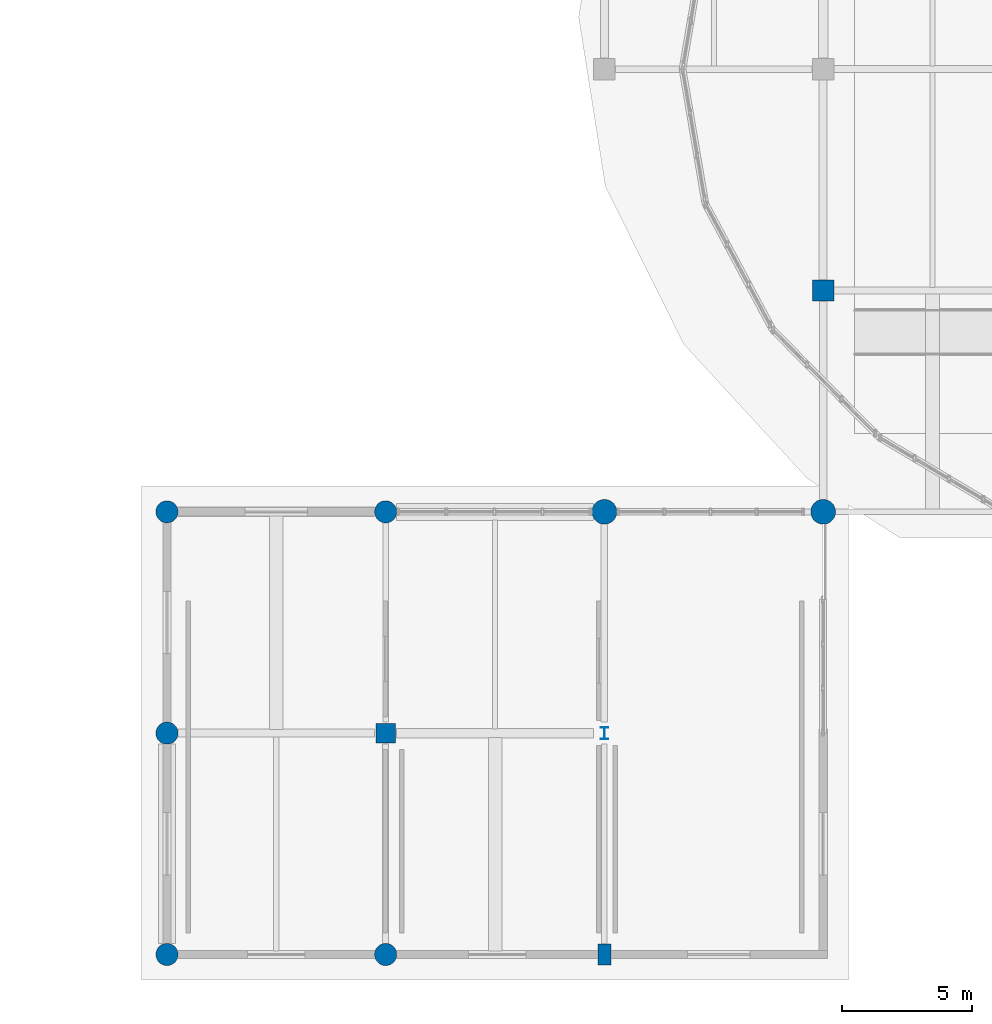
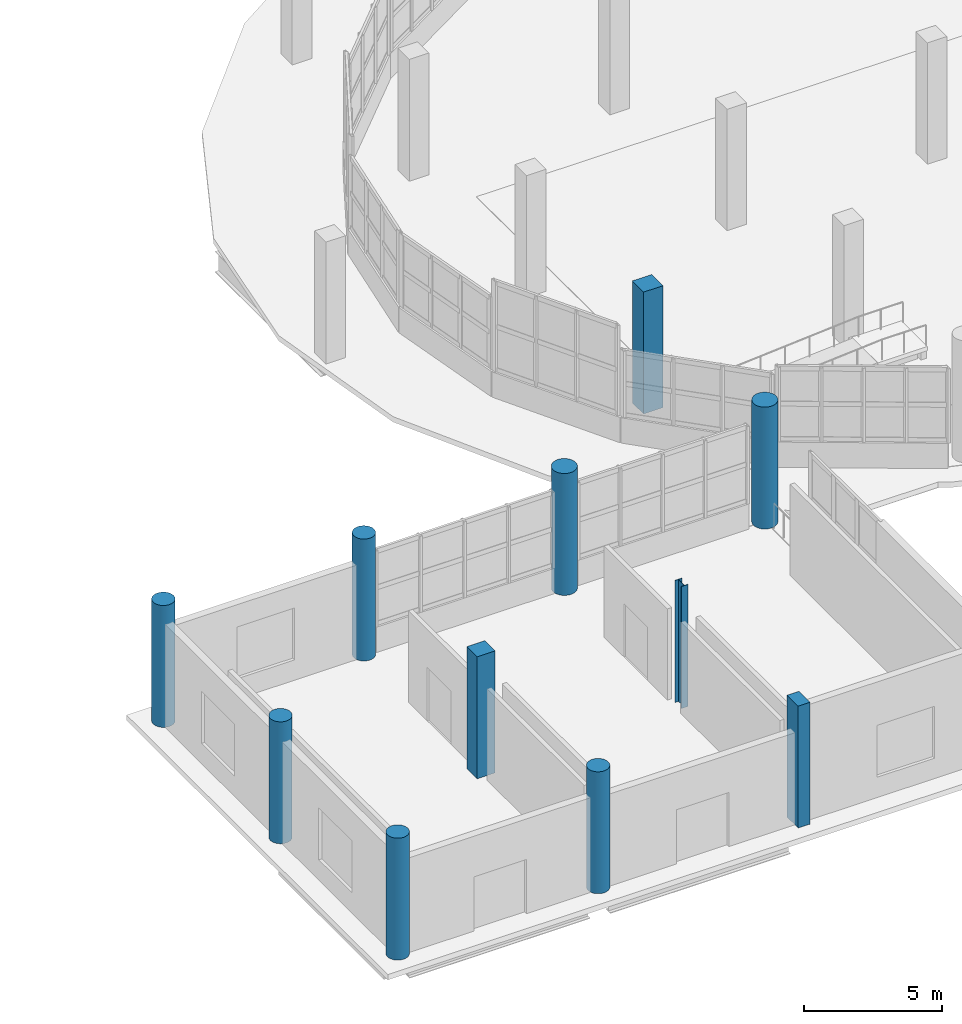
# One storey, part 1 of 107: 11 columns.
"""IFC4 building model written with IfcOpenShell, lengths in metres."""

from ifc_helpers import new_model, si_unit, direction, frame, origin, origin_2d, place, context, subcontext, project, spatial, rectangle, circle, i_section, extrude, material, material_profile, profile_set, type_object, element, save


model = new_model("IFC4")

# Units and contexts
model_context = context("Model", 3, precision=1e-05, world=origin(), true_north=direction((0.0, 1.0)))
body_context = subcontext(model_context, "Body", "Model", "MODEL_VIEW")
ifc_project = project(units=[si_unit("LENGTHUNIT", "METRE"), si_unit("AREAUNIT", "SQUARE_METRE"), si_unit("VOLUMEUNIT", "CUBIC_METRE"), si_unit("PLANEANGLEUNIT", "RADIAN"), si_unit("MASSUNIT", "GRAM", prefix="KILO")], contexts=[model_context])

# Site, building, storey
site_placement = place(None, origin())
site = spatial("IfcSite", under=ifc_project, at=site_placement, CompositionType="ELEMENT")
building_placement = place(site_placement, origin())
building = spatial("IfcBuilding", under=site, at=building_placement, Name="Solvento Point Concert Hall", CompositionType="ELEMENT")
storey_placement = place(building_placement, origin())
storey = spatial("IfcBuildingStorey", under=building, at=storey_placement, Name="L00", CompositionType="ELEMENT", Elevation=0.0)

# Columns
ifc_material_1 = material(Name="Concrete C40/50", Category="concrete")
ifc_material_profile_1 = material_profile(ifc_material_1, rectangle(XDim=0.75, YDim=0.75, at=origin_2d()), Name="RC-COL-750X750")
ifc_profile_set_1 = profile_set([ifc_material_profile_1], Name="Concrete C40/50")
column_type_1 = type_object("IfcColumnType", Name="Col_RC_750", PredefinedType="COLUMN", material=ifc_profile_set_1)
column_1_placement = place(storey_placement, frame((24.0, 8.5, 0.0), z_axis=(0.0, 0.0, 1.0), x_axis=(1.0, 0.0, 0.0)))
element("IfcColumn", 1, at=column_1_placement, inside=storey, type_object=column_type_1, Name="Column C-29 04/B L00", PredefinedType="COLUMN", context=body_context, shape_type="SweptSolid", body=[
    extrude(rectangle(XDim=0.75, YDim=0.75, at=origin_2d()), origin(), (0.0, 0.0, 1.0), 5.39990234375),
])
ifc_material_2 = material(Name="Concrete C40/50", Category="concrete")
ifc_material_profile_2 = material_profile(ifc_material_2, rectangle(XDim=0.820068359375, YDim=0.820068359375, at=origin_2d()), Name="RC-COL-820X820")
ifc_profile_set_2 = profile_set([ifc_material_profile_2], Name="Concrete C40/50")
column_type_2 = type_object("IfcColumnType", Name="Col_RC_820", PredefinedType="COLUMN", material=ifc_profile_set_2)
column_2_placement = place(storey_placement, frame((40.800048828125, 25.5, 0.0), z_axis=(0.0, 0.0, 1.0), x_axis=(1.0, 0.0, 0.0)))
element("IfcColumn", 2, at=column_2_placement, inside=storey, type_object=column_type_2, Name="Column C-98 06/D L00", PredefinedType="COLUMN", context=body_context, shape_type="SweptSolid", body=[
    extrude(rectangle(XDim=0.820068359375, YDim=0.820068359375, at=origin_2d()), origin(), (0.0, 0.0, 1.0), 5.39990234375),
])
ifc_material_3 = material(Name="Concrete C40/50", Category="concrete")
ifc_material_profile_3 = material_profile(ifc_material_3, rectangle(XDim=0.5, YDim=0.800048828125, at=origin_2d()), Name="RC-PIL-500X800")
ifc_profile_set_3 = profile_set([ifc_material_profile_3], Name="Concrete C40/50")
column_type_3 = type_object("IfcColumnType", Name="Pilaster_500x800", PredefinedType="PILASTER", material=ifc_profile_set_3)
column_3_placement = place(storey_placement, frame((32.39990234375, 0.0, 0.0), z_axis=(0.0, 0.0, 1.0), x_axis=(1.0, 0.0, 0.0)))
element("IfcColumn", 3, at=column_3_placement, inside=storey, type_object=column_type_3, Name="Column C-70 05/A L00", PredefinedType="PILASTER", context=body_context, shape_type="SweptSolid", body=[
    extrude(rectangle(XDim=0.5, YDim=0.800048828125, at=origin_2d()), origin(), (0.0, 0.0, 1.0), 5.39990234375),
])
ifc_material_4 = material(Name="Structural Steel ASTM A992 Grade 50", Category="steel")
ifc_material_profile_4 = material_profile(ifc_material_4, i_section(OverallWidth=0.279541015625, OverallDepth=0.462890625, WebThickness=0.0107421875, FlangeThickness=0.017333984375, at=origin_2d()), Name="W18X76")
ifc_profile_set_4 = profile_set([ifc_material_profile_4], Name="Structural Steel ASTM A992 Grade 50")
column_type_4 = type_object("IfcColumnType", Name="Pilaster_Steel_W18X76", PredefinedType="PILASTER", material=ifc_profile_set_4)
column_4_placement = place(storey_placement, frame((32.39990234375, 8.5, 0.0), z_axis=(0.0, 0.0, 1.0), x_axis=(1.0, 0.0, 0.0)))
element("IfcColumn", 4, at=column_4_placement, inside=storey, type_object=column_type_4, Name="Column C-80 05/B L00", PredefinedType="PILASTER", context=body_context, shape_type="SweptSolid", body=[
    extrude(i_section(OverallWidth=0.279541015625, OverallDepth=0.462890625, WebThickness=0.0107421875, FlangeThickness=0.017333984375, at=origin_2d()), origin(), (0.0, 0.0, 1.0), 5.39990234375),
])
ifc_material_5 = material(Name="Concrete C40/50", Category="concrete")
ifc_material_profile_5 = material_profile(ifc_material_5, circle(Radius=0.425048828125, at=origin_2d()), Name="RC-PILOTIS-850")
ifc_profile_set_5 = profile_set([ifc_material_profile_5], Name="Concrete C40/50")
column_type_5 = type_object("IfcColumnType", Name="Pilotis_850", PredefinedType="COLUMN", material=ifc_profile_set_5)
for number, where, z_axis, x_axis, name in (
    (5, (15.60009765625, 0.0, 0.0), (0.0, 0.0, 1.0), (1.0, 0.0, 0.0), "Column C-22 03/A L00"),
    (6, (15.60009765625, 8.5, 0.0), (0.0, 0.0, 1.0), (1.0, 0.0, 0.0), "Column C-22 03/B L00"),
    (7, (15.60009765625, 17.0, 0.0), (0.0, 0.0, 1.0), (1.0, 0.0, 0.0), "Column C-22 03/C L00"),
    (8, (24.0, 0.0, 0.0), (0.0, 0.0, 1.0), (1.0, 0.0, 0.0), "Column C-22 04/A L00"),
    (9, (24.0, 17.0, 0.0), (0.0, 0.0, 1.0), (1.0, 0.0, 0.0), "Column C-22 04/C L00"),
):
    element("IfcColumn", number, at=place(storey_placement, frame(where, z_axis=z_axis, x_axis=x_axis)), inside=storey, type_object=column_type_5, Name=name, PredefinedType="COLUMN", context=body_context, shape_type="SweptSolid", body=[
        extrude(circle(Radius=0.425048828125, at=origin_2d()), origin(), (0.0, 0.0, 1.0), 5.39990234375),
    ])
ifc_material_6 = material(Name="Concrete C40/50", Category="concrete")
ifc_material_profile_6 = material_profile(ifc_material_6, circle(Radius=0.47509765625, at=origin_2d()), Name="RC-PILOTIS-950")
ifc_profile_set_6 = profile_set([ifc_material_profile_6], Name="Concrete C40/50")
column_type_6 = type_object("IfcColumnType", Name="Pilotis_950", PredefinedType="COLUMN", material=ifc_profile_set_6)
for number, where, z_axis, x_axis, name in (
    (10, (32.39990234375, 17.0, 0.0), (0.0, 0.0, 1.0), (1.0, 0.0, 0.0), "Column C-95 05/C L00"),
    (11, (40.800048828125, 17.0, 0.0), (0.0, 0.0, 1.0), (1.0, 0.0, 0.0), "Column C-95 06/C L00"),
):
    element("IfcColumn", number, at=place(storey_placement, frame(where, z_axis=z_axis, x_axis=x_axis)), inside=storey, type_object=column_type_6, Name=name, PredefinedType="COLUMN", context=body_context, shape_type="SweptSolid", body=[
        extrude(circle(Radius=0.47509765625, at=origin_2d()), origin(), (0.0, 0.0, 1.0), 5.39990234375),
    ])

save(model, "model.ifc")
